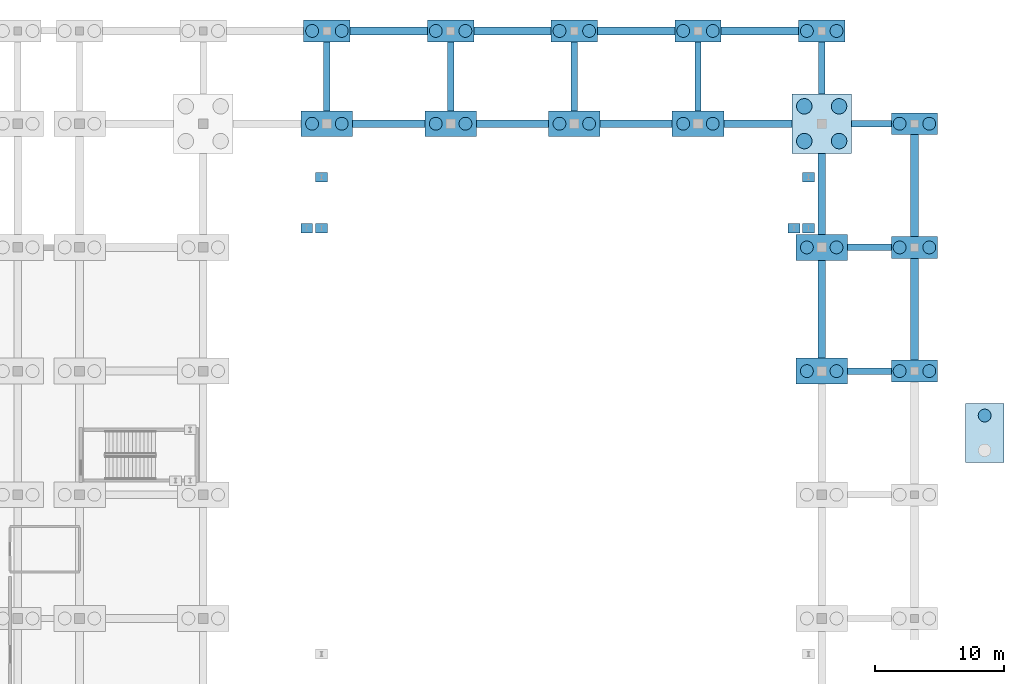
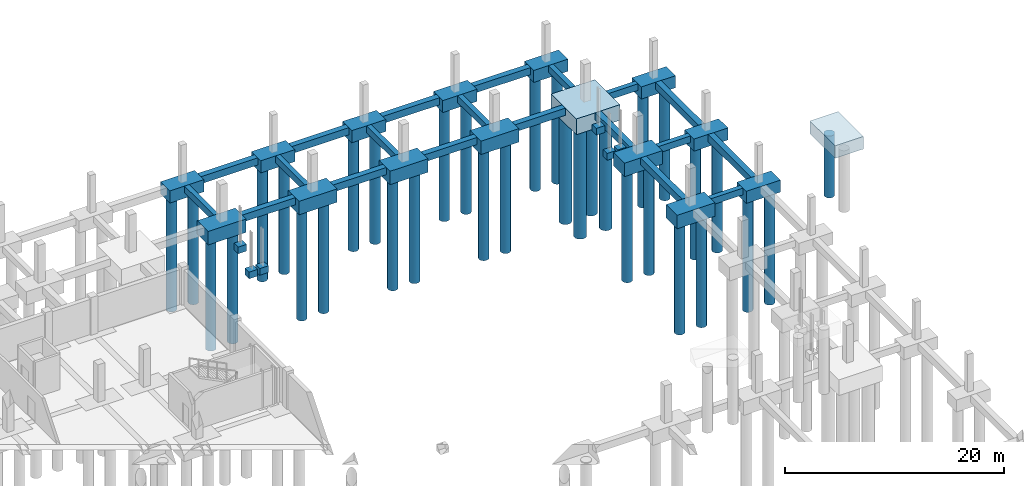
# One storey, part 11 of 54: 42 footings, 33 piles.
"""IFC4 building model written with IfcOpenShell, lengths in metres."""

from ifc_helpers import new_model, si_unit, direction, frame, origin, origin_2d, place, context, subcontext, project, spatial, rectangle, circle, extrude, material, material_profile, profile_set, type_object, element, save


model = new_model("IFC4")

# Units and contexts
model_context = context("Model", 3, precision=1e-05, world=origin(), true_north=direction((0.0, 1.0)))
body_context = subcontext(model_context, "Body", "Model", "MODEL_VIEW")
ifc_project = project(units=[si_unit("LENGTHUNIT", "METRE"), si_unit("AREAUNIT", "SQUARE_METRE"), si_unit("VOLUMEUNIT", "CUBIC_METRE"), si_unit("PLANEANGLEUNIT", "RADIAN"), si_unit("MASSUNIT", "GRAM", prefix="KILO")], contexts=[model_context])

# Site, building, storey
site_placement = place(None, origin())
site = spatial("IfcSite", under=ifc_project, at=site_placement, CompositionType="ELEMENT")
building_placement = place(site_placement, origin())
building = spatial("IfcBuilding", under=site, at=building_placement, Name="Zevrakil Square Congress Hotel", CompositionType="ELEMENT")
storey_placement = place(building_placement, frame((0.0, 0.0, -8.39990234375)))
storey = spatial("IfcBuildingStorey", under=building, at=storey_placement, Name="B2", CompositionType="ELEMENT", Elevation=-8.39990234375)

# Footings
ifc_material_1 = material(Name="Concrete C35/45", Category="concrete")
footing_type_1 = type_object("IfcFootingType", Name="FTG-PC2-300x460", PredefinedType="PILE_CAP", material=ifc_material_1)
footing_1_placement = place(storey_placement, frame((178.25, 88.800048828125, 5.449951171875), z_axis=(0.0, 0.0, 1.0), x_axis=(1.0, 0.0, 0.0)))
element("IfcFooting", 1, at=footing_1_placement, inside=storey, type_object=footing_type_1, Name="Accessible ramp apron two-pile cap PR-05", PredefinedType="PILE_CAP", context=body_context, shape_type="SweptSolid", body=[
    extrude(rectangle(XDim=3.0, YDim=4.60009765625, at=origin_2d()), origin(), (0.0, 0.0, 1.0), 1.39990234375),
])
ifc_material_2 = material(Name="Concrete C35/45", Category="concrete")
footing_type_2 = type_object("IfcFootingType", Name="FTG-PC2-360", PredefinedType="PILE_CAP", material=ifc_material_2)
for number, where, z_axis, x_axis, name in (
    (2, (127.199951171875, 120.0, -1.35009765625), (0.0, 0.0, 1.0), (1.0, 0.0, 0.0), "Pile cap PC2-209"),
    (3, (136.800048828125, 120.0, -1.35009765625), (0.0, 0.0, 1.0), (1.0, 0.0, 0.0), "Pile cap PC2-223"),
    (4, (146.39990234375, 120.0, -1.35009765625), (0.0, 0.0, 1.0), (1.0, 0.0, 0.0), "Pile cap PC2-237"),
    (5, (156.0, 120.0, -1.35009765625), (0.0, 0.0, 1.0), (1.0, 0.0, 0.0), "Pile cap PC2-251"),
    (6, (165.60009765625, 120.0, -1.35009765625), (0.0, 0.0, 1.0), (1.0, 0.0, 0.0), "Pile cap PC2-265"),
    (7, (172.800048828125, 93.60009765625, -1.35009765625), (0.0, 0.0, 1.0), (1.0, 0.0, 0.0), "Pile cap PC2-276"),
    (8, (172.800048828125, 103.199951171875, -1.35009765625), (0.0, 0.0, 1.0), (1.0, 0.0, 0.0), "Pile cap PC2-277"),
    (9, (172.800048828125, 112.800048828125, -1.35009765625), (0.0, 0.0, 1.0), (1.0, 0.0, 0.0), "Pile cap PC2-278"),
):
    element("IfcFooting", number, at=place(storey_placement, frame(where, z_axis=z_axis, x_axis=x_axis)), inside=storey, type_object=footing_type_2, Name=name, PredefinedType="PILE_CAP", context=body_context, shape_type="SweptSolid", body=[
        extrude(rectangle(XDim=3.60009765625, YDim=1.699951171875, at=origin_2d()), origin(), (0.0, 0.0, 1.0), 1.35009765625),
    ])
ifc_material_3 = material(Name="Concrete C35/45", Category="concrete")
footing_type_3 = type_object("IfcFootingType", Name="FTG-PC2-400", PredefinedType="PILE_CAP", material=ifc_material_3)
for number, where, z_axis, x_axis, name in (
    (10, (127.199951171875, 112.800048828125, -1.5), (0.0, 0.0, 1.0), (1.0, 0.0, 0.0), "Pile cap PC2-208"),
    (11, (136.800048828125, 112.800048828125, -1.5), (0.0, 0.0, 1.0), (1.0, 0.0, 0.0), "Pile cap PC2-222"),
    (12, (146.39990234375, 112.800048828125, -1.5), (0.0, 0.0, 1.0), (1.0, 0.0, 0.0), "Pile cap PC2-236"),
    (13, (156.0, 112.800048828125, -1.5), (0.0, 0.0, 1.0), (1.0, 0.0, 0.0), "Pile cap PC2-250"),
    (14, (165.60009765625, 93.60009765625, -1.5), (0.0, 0.0, 1.0), (1.0, 0.0, 0.0), "Pile cap PC2-262"),
    (15, (165.60009765625, 103.199951171875, -1.5), (0.0, 0.0, 1.0), (1.0, 0.0, 0.0), "Pile cap PC2-263"),
):
    element("IfcFooting", number, at=place(storey_placement, frame(where, z_axis=z_axis, x_axis=x_axis)), inside=storey, type_object=footing_type_3, Name=name, PredefinedType="PILE_CAP", context=body_context, shape_type="SweptSolid", body=[
        extrude(rectangle(XDim=4.0, YDim=2.0, at=origin_2d()), origin(), (0.0, 0.0, 1.0), 1.5),
    ])
ifc_material_4 = material(Name="Concrete C35/45", Category="concrete")
footing_type_4 = type_object("IfcFootingType", Name="FTG-PC4-460", PredefinedType="PILE_CAP", material=ifc_material_4)
footing_2_placement = place(storey_placement, frame((165.60009765625, 112.800048828125, -1.75), z_axis=(0.0, 0.0, 1.0), x_axis=(1.0, 0.0, 0.0)))
element("IfcFooting", 16, at=footing_2_placement, inside=storey, type_object=footing_type_4, Name="Pile cap PC4-264", PredefinedType="PILE_CAP", context=body_context, shape_type="SweptSolid", body=[
    extrude(rectangle(XDim=4.60009765625, YDim=4.60009765625, at=origin_2d()), origin(), (0.0, 0.0, 1.0), 1.75),
])
ifc_material_5 = material(Name="Concrete C35/45", Category="concrete")
ifc_material_profile_1 = material_profile(ifc_material_5, rectangle(XDim=0.75, YDim=0.75, at=origin_2d()), Name="RC 750x750")
ifc_profile_set_1 = profile_set([ifc_material_profile_1], Name="Concrete C35/45")
footing_type_5 = type_object("IfcFootingType", Name="FTG-STRIP-750", PredefinedType="STRIP_FOOTING", material=ifc_profile_set_1)
footing_3_placement = place(storey_placement, frame((163.0, 104.699951171875, -0.375), z_axis=(1.0, 0.0, 0.0), x_axis=(0.0, 1.0, 0.0)))
element("IfcFooting", 17, at=footing_3_placement, inside=storey, type_object=footing_type_5, Name="B2 stair post footing ST10-1", PredefinedType="STRIP_FOOTING", context=body_context, shape_type="SweptSolid", body=[
    extrude(rectangle(XDim=0.75, YDim=0.75, at=origin_2d()), origin(), (0.0, 0.0, 1.0), 0.89990234375),
])
for number, where, z_axis, x_axis, name in (
    (18, (164.1298828125, 104.699951171875, -0.375), (1.0, 0.0, 0.0), (0.0, 1.0, 0.0), "B2 stair post footing ST10-2"),
    (19, (164.1298828125, 108.64990234375, -0.375), (1.0, 0.0, 0.0), (0.0, 1.0, 0.0), "B2 stair post footing ST10-3"),
    (20, (125.199951171875, 104.699951171875, -0.375), (1.0, 0.0, 0.0), (0.0, 1.0, 0.0), "B2 stair post footing ST11-1"),
):
    element("IfcFooting", number, at=place(storey_placement, frame(where, z_axis=z_axis, x_axis=x_axis)), inside=storey, type_object=footing_type_5, Name=name, PredefinedType="STRIP_FOOTING", context=body_context, shape_type="SweptSolid", body=[
        extrude(rectangle(XDim=0.75, YDim=0.75, at=origin_2d()), origin(), (0.0, 0.0, 1.0), 0.900146484375),
    ])
for number, where, z_axis, x_axis, name in (
    (21, (126.330078125, 104.699951171875, -0.375), (1.0, 0.0, 0.0), (0.0, 1.0, 0.0), "B2 stair post footing ST11-2"),
    (22, (126.330078125, 108.64990234375, -0.375), (1.0, 0.0, 0.0), (0.0, 1.0, 0.0), "B2 stair post footing ST11-3"),
):
    element("IfcFooting", number, at=place(storey_placement, frame(where, z_axis=z_axis, x_axis=x_axis)), inside=storey, type_object=footing_type_5, Name=name, PredefinedType="STRIP_FOOTING", context=body_context, shape_type="SweptSolid", body=[
        extrude(rectangle(XDim=0.75, YDim=0.75, at=origin_2d()), origin(), (0.0, 0.0, 1.0), 0.89990234375),
    ])
ifc_material_6 = material(Name="Concrete C35/45", Category="concrete")
ifc_material_profile_2 = material_profile(ifc_material_6, rectangle(XDim=0.5, YDim=0.75, at=origin_2d()), Name="RC 500x750")
ifc_profile_set_2 = profile_set([ifc_material_profile_2], Name="Concrete C35/45")
footing_type_6 = type_object("IfcFootingType", Name="FTG-TIE-500x750", PredefinedType="FOOTING_BEAM", material=ifc_profile_set_2)
for number, where, z_axis, x_axis, name in (
    (23, (167.60009765625, 93.60009765625, -0.375), (1.0, 0.0, 0.0), (0.0, 1.0, 0.0), "Ground tie beam GB-167"),
    (24, (167.60009765625, 103.199951171875, -0.375), (1.0, 0.0, 0.0), (0.0, 1.0, 0.0), "Ground tie beam GB-179"),
):
    element("IfcFooting", number, at=place(storey_placement, frame(where, z_axis=z_axis, x_axis=x_axis)), inside=storey, type_object=footing_type_6, Name=name, PredefinedType="FOOTING_BEAM", context=body_context, shape_type="SweptSolid", body=[
        extrude(rectangle(XDim=0.5, YDim=0.75, at=origin_2d()), origin(), (0.0, 0.0, 1.0), 3.39990234375),
    ])
footing_4_placement = place(storey_placement, frame((167.89990234375, 112.800048828125, -0.375), z_axis=(1.0, 0.0, 0.0), x_axis=(0.0, 1.0, 0.0)))
element("IfcFooting", 25, at=footing_4_placement, inside=storey, type_object=footing_type_6, Name="Ground tie beam GB-197", PredefinedType="FOOTING_BEAM", context=body_context, shape_type="SweptSolid", body=[
    extrude(rectangle(XDim=0.5, YDim=0.75, at=origin_2d()), origin(), (0.0, 0.0, 1.0), 3.10009765625),
])
for number, where, z_axis, x_axis, name in (
    (26, (127.199951171875, 113.800048828125, -0.375), (0.0, 1.0, 0.0), (-1.0, 0.0, 0.0), "Ground tie beam GB-397"),
    (27, (136.800048828125, 113.800048828125, -0.375), (0.0, 1.0, 0.0), (-1.0, 0.0, 0.0), "Ground tie beam GB-404"),
    (28, (146.39990234375, 113.800048828125, -0.375), (0.0, 1.0, 0.0), (-1.0, 0.0, 0.0), "Ground tie beam GB-408"),
    (29, (156.0, 113.800048828125, -0.375), (0.0, 1.0, 0.0), (-1.0, 0.0, 0.0), "Ground tie beam GB-415"),
):
    element("IfcFooting", number, at=place(storey_placement, frame(where, z_axis=z_axis, x_axis=x_axis)), inside=storey, type_object=footing_type_6, Name=name, PredefinedType="FOOTING_BEAM", context=body_context, shape_type="SweptSolid", body=[
        extrude(rectangle(XDim=0.5, YDim=0.75, at=origin_2d()), origin(), (0.0, 0.0, 1.0), 5.349853515625),
    ])
footing_5_placement = place(storey_placement, frame((165.60009765625, 115.10009765625, -0.375), z_axis=(0.0, 1.0, 0.0), x_axis=(-1.0, 0.0, 0.0)))
element("IfcFooting", 30, at=footing_5_placement, inside=storey, type_object=footing_type_6, Name="Ground tie beam GB-425", PredefinedType="FOOTING_BEAM", context=body_context, shape_type="SweptSolid", body=[
    extrude(rectangle(XDim=0.5, YDim=0.75, at=origin_2d()), origin(), (0.0, 0.0, 1.0), 4.0498046875),
])
ifc_material_7 = material(Name="Concrete C35/45", Category="concrete")
ifc_material_profile_3 = material_profile(ifc_material_7, rectangle(XDim=0.60009765625, YDim=0.800048828125, at=origin_2d()), Name="RC 600x800")
ifc_profile_set_3 = profile_set([ifc_material_profile_3], Name="Concrete C35/45")
footing_type_7 = type_object("IfcFootingType", Name="FTG-TIE-600x800", PredefinedType="FOOTING_BEAM", material=ifc_profile_set_3)
footing_6_placement = place(storey_placement, frame((129.199951171875, 112.800048828125, -0.400146484375), z_axis=(1.0, 0.0, 0.0), x_axis=(0.0, 1.0, 0.0)))
element("IfcFooting", 31, at=footing_6_placement, inside=storey, type_object=footing_type_7, Name="Ground tie beam GB-193", PredefinedType="FOOTING_BEAM", context=body_context, shape_type="SweptSolid", body=[
    extrude(rectangle(XDim=0.60009765625, YDim=0.800048828125, at=origin_2d()), origin(), (0.0, 0.0, 1.0), 5.60009765625),
])
footing_7_placement = place(storey_placement, frame((138.800048828125, 112.800048828125, -0.400146484375), z_axis=(1.0, 0.0, 0.0), x_axis=(0.0, 1.0, 0.0)))
element("IfcFooting", 32, at=footing_7_placement, inside=storey, type_object=footing_type_7, Name="Ground tie beam GB-194", PredefinedType="FOOTING_BEAM", context=body_context, shape_type="SweptSolid", body=[
    extrude(rectangle(XDim=0.60009765625, YDim=0.800048828125, at=origin_2d()), origin(), (0.0, 0.0, 1.0), 5.599853515625),
])
footing_8_placement = place(storey_placement, frame((148.39990234375, 112.800048828125, -0.400146484375), z_axis=(1.0, 0.0, 0.0), x_axis=(0.0, 1.0, 0.0)))
element("IfcFooting", 33, at=footing_8_placement, inside=storey, type_object=footing_type_7, Name="Ground tie beam GB-195", PredefinedType="FOOTING_BEAM", context=body_context, shape_type="SweptSolid", body=[
    extrude(rectangle(XDim=0.60009765625, YDim=0.800048828125, at=origin_2d()), origin(), (0.0, 0.0, 1.0), 5.60009765625),
])
footing_9_placement = place(storey_placement, frame((158.0, 112.800048828125, -0.400146484375), z_axis=(1.0, 0.0, 0.0), x_axis=(0.0, 1.0, 0.0)))
element("IfcFooting", 34, at=footing_9_placement, inside=storey, type_object=footing_type_7, Name="Ground tie beam GB-196", PredefinedType="FOOTING_BEAM", context=body_context, shape_type="SweptSolid", body=[
    extrude(rectangle(XDim=0.60009765625, YDim=0.800048828125, at=origin_2d()), origin(), (0.0, 0.0, 1.0), 5.300048828125),
])
for number, where, z_axis, x_axis, name in (
    (35, (129.0, 120.0, -0.400146484375), (1.0, 0.0, 0.0), (0.0, 1.0, 0.0), "Ground tie beam GB-211"),
    (36, (138.60009765625, 120.0, -0.400146484375), (1.0, 0.0, 0.0), (0.0, 1.0, 0.0), "Ground tie beam GB-212"),
    (37, (148.199951171875, 120.0, -0.400146484375), (1.0, 0.0, 0.0), (0.0, 1.0, 0.0), "Ground tie beam GB-213"),
    (38, (157.800048828125, 120.0, -0.400146484375), (1.0, 0.0, 0.0), (0.0, 1.0, 0.0), "Ground tie beam GB-214"),
):
    element("IfcFooting", number, at=place(storey_placement, frame(where, z_axis=z_axis, x_axis=x_axis)), inside=storey, type_object=footing_type_7, Name=name, PredefinedType="FOOTING_BEAM", context=body_context, shape_type="SweptSolid", body=[
        extrude(rectangle(XDim=0.60009765625, YDim=0.800048828125, at=origin_2d()), origin(), (0.0, 0.0, 1.0), 6.0),
    ])
footing_10_placement = place(storey_placement, frame((165.60009765625, 94.60009765625, -0.400146484375), z_axis=(0.0, 1.0, 0.0), x_axis=(-1.0, 0.0, 0.0)))
element("IfcFooting", 39, at=footing_10_placement, inside=storey, type_object=footing_type_7, Name="Ground tie beam GB-423", PredefinedType="FOOTING_BEAM", context=body_context, shape_type="SweptSolid", body=[
    extrude(rectangle(XDim=0.60009765625, YDim=0.800048828125, at=origin_2d()), origin(), (0.0, 0.0, 1.0), 7.599853515625),
])
footing_11_placement = place(storey_placement, frame((165.60009765625, 104.199951171875, -0.400146484375), z_axis=(0.0, 1.0, 0.0), x_axis=(-1.0, 0.0, 0.0)))
element("IfcFooting", 40, at=footing_11_placement, inside=storey, type_object=footing_type_7, Name="Ground tie beam GB-424", PredefinedType="FOOTING_BEAM", context=body_context, shape_type="SweptSolid", body=[
    extrude(rectangle(XDim=0.60009765625, YDim=0.800048828125, at=origin_2d()), origin(), (0.0, 0.0, 1.0), 6.300048828125),
])
footing_12_placement = place(storey_placement, frame((172.800048828125, 94.449951171875, -0.400146484375), z_axis=(0.0, 1.0, 0.0), x_axis=(-1.0, 0.0, 0.0)))
element("IfcFooting", 41, at=footing_12_placement, inside=storey, type_object=footing_type_7, Name="Ground tie beam GB-436", PredefinedType="FOOTING_BEAM", context=body_context, shape_type="SweptSolid", body=[
    extrude(rectangle(XDim=0.60009765625, YDim=0.800048828125, at=origin_2d()), origin(), (0.0, 0.0, 1.0), 7.900146484375),
])
footing_13_placement = place(storey_placement, frame((172.800048828125, 104.050048828125, -0.400146484375), z_axis=(0.0, 1.0, 0.0), x_axis=(-1.0, 0.0, 0.0)))
element("IfcFooting", 42, at=footing_13_placement, inside=storey, type_object=footing_type_7, Name="Ground tie beam GB-437", PredefinedType="FOOTING_BEAM", context=body_context, shape_type="SweptSolid", body=[
    extrude(rectangle(XDim=0.60009765625, YDim=0.800048828125, at=origin_2d()), origin(), (0.0, 0.0, 1.0), 7.89990234375),
])

# Piles
ifc_material_8 = material(Name="Concrete C35/45", Category="concrete")
ifc_material_profile_4 = material_profile(ifc_material_8, circle(Radius=0.5, at=origin_2d()), Name="PILE D1000")
ifc_profile_set_4 = profile_set([ifc_material_profile_4], Name="Concrete C35/45")
pile_type_1 = type_object("IfcPileType", Name="PILE-BORED-1000", PredefinedType="BORED", material=ifc_profile_set_4)
for number, where, z_axis, x_axis, name in (
    (43, (126.050048828125, 112.800048828125, -1.400146484375), (0.0, 0.0, -1.0), (1.0, 0.0, 0.0), "Bored pile PC2-208-1"),
    (44, (128.35009765625, 112.800048828125, -1.400146484375), (0.0, 0.0, -1.0), (1.0, 0.0, 0.0), "Bored pile PC2-208-2"),
):
    element("IfcPile", number, at=place(storey_placement, frame(where, z_axis=z_axis, x_axis=x_axis)), inside=storey, type_object=pile_type_1, Name=name, PredefinedType="BORED", context=body_context, shape_type="SweptSolid", body=[
        extrude(circle(Radius=0.5, at=origin_2d()), origin(), (0.0, 0.0, 1.0), 12.5),
    ])
for number, where, z_axis, x_axis, name in (
    (45, (126.050048828125, 120.0, -1.25), (0.0, 0.0, -1.0), (1.0, 0.0, 0.0), "Bored pile PC2-209-1"),
    (46, (128.35009765625, 120.0, -1.25), (0.0, 0.0, -1.0), (1.0, 0.0, 0.0), "Bored pile PC2-209-2"),
):
    element("IfcPile", number, at=place(storey_placement, frame(where, z_axis=z_axis, x_axis=x_axis)), inside=storey, type_object=pile_type_1, Name=name, PredefinedType="BORED", context=body_context, shape_type="SweptSolid", body=[
        extrude(circle(Radius=0.5, at=origin_2d()), origin(), (0.0, 0.0, 1.0), 12.64990234375),
    ])
for number, where, z_axis, x_axis, name in (
    (47, (135.64990234375, 112.800048828125, -1.400146484375), (0.0, 0.0, -1.0), (1.0, 0.0, 0.0), "Bored pile PC2-222-1"),
    (48, (137.949951171875, 112.800048828125, -1.400146484375), (0.0, 0.0, -1.0), (1.0, 0.0, 0.0), "Bored pile PC2-222-2"),
):
    element("IfcPile", number, at=place(storey_placement, frame(where, z_axis=z_axis, x_axis=x_axis)), inside=storey, type_object=pile_type_1, Name=name, PredefinedType="BORED", context=body_context, shape_type="SweptSolid", body=[
        extrude(circle(Radius=0.5, at=origin_2d()), origin(), (0.0, 0.0, 1.0), 12.5),
    ])
for number, where, z_axis, x_axis, name in (
    (49, (135.64990234375, 120.0, -1.25), (0.0, 0.0, -1.0), (1.0, 0.0, 0.0), "Bored pile PC2-223-1"),
    (50, (137.949951171875, 120.0, -1.25), (0.0, 0.0, -1.0), (1.0, 0.0, 0.0), "Bored pile PC2-223-2"),
):
    element("IfcPile", number, at=place(storey_placement, frame(where, z_axis=z_axis, x_axis=x_axis)), inside=storey, type_object=pile_type_1, Name=name, PredefinedType="BORED", context=body_context, shape_type="SweptSolid", body=[
        extrude(circle(Radius=0.5, at=origin_2d()), origin(), (0.0, 0.0, 1.0), 12.64990234375),
    ])
for number, where, z_axis, x_axis, name in (
    (51, (145.25, 112.800048828125, -1.400146484375), (0.0, 0.0, -1.0), (1.0, 0.0, 0.0), "Bored pile PC2-236-1"),
    (52, (147.550048828125, 112.800048828125, -1.400146484375), (0.0, 0.0, -1.0), (1.0, 0.0, 0.0), "Bored pile PC2-236-2"),
):
    element("IfcPile", number, at=place(storey_placement, frame(where, z_axis=z_axis, x_axis=x_axis)), inside=storey, type_object=pile_type_1, Name=name, PredefinedType="BORED", context=body_context, shape_type="SweptSolid", body=[
        extrude(circle(Radius=0.5, at=origin_2d()), origin(), (0.0, 0.0, 1.0), 12.5),
    ])
for number, where, z_axis, x_axis, name in (
    (53, (145.25, 120.0, -1.25), (0.0, 0.0, -1.0), (1.0, 0.0, 0.0), "Bored pile PC2-237-1"),
    (54, (147.550048828125, 120.0, -1.25), (0.0, 0.0, -1.0), (1.0, 0.0, 0.0), "Bored pile PC2-237-2"),
):
    element("IfcPile", number, at=place(storey_placement, frame(where, z_axis=z_axis, x_axis=x_axis)), inside=storey, type_object=pile_type_1, Name=name, PredefinedType="BORED", context=body_context, shape_type="SweptSolid", body=[
        extrude(circle(Radius=0.5, at=origin_2d()), origin(), (0.0, 0.0, 1.0), 12.64990234375),
    ])
for number, where, z_axis, x_axis, name in (
    (55, (154.85009765625, 112.800048828125, -1.400146484375), (0.0, 0.0, -1.0), (1.0, 0.0, 0.0), "Bored pile PC2-250-1"),
    (56, (157.14990234375, 112.800048828125, -1.400146484375), (0.0, 0.0, -1.0), (1.0, 0.0, 0.0), "Bored pile PC2-250-2"),
):
    element("IfcPile", number, at=place(storey_placement, frame(where, z_axis=z_axis, x_axis=x_axis)), inside=storey, type_object=pile_type_1, Name=name, PredefinedType="BORED", context=body_context, shape_type="SweptSolid", body=[
        extrude(circle(Radius=0.5, at=origin_2d()), origin(), (0.0, 0.0, 1.0), 12.5),
    ])
for number, where, z_axis, x_axis, name in (
    (57, (154.85009765625, 120.0, -1.25), (0.0, 0.0, -1.0), (1.0, 0.0, 0.0), "Bored pile PC2-251-1"),
    (58, (157.14990234375, 120.0, -1.25), (0.0, 0.0, -1.0), (1.0, 0.0, 0.0), "Bored pile PC2-251-2"),
):
    element("IfcPile", number, at=place(storey_placement, frame(where, z_axis=z_axis, x_axis=x_axis)), inside=storey, type_object=pile_type_1, Name=name, PredefinedType="BORED", context=body_context, shape_type="SweptSolid", body=[
        extrude(circle(Radius=0.5, at=origin_2d()), origin(), (0.0, 0.0, 1.0), 12.64990234375),
    ])
for number, where, z_axis, x_axis, name in (
    (59, (164.449951171875, 93.60009765625, -1.400146484375), (0.0, 0.0, -1.0), (1.0, 0.0, 0.0), "Bored pile PC2-262-1"),
    (60, (166.75, 93.60009765625, -1.400146484375), (0.0, 0.0, -1.0), (1.0, 0.0, 0.0), "Bored pile PC2-262-2"),
    (61, (164.449951171875, 103.199951171875, -1.400146484375), (0.0, 0.0, -1.0), (1.0, 0.0, 0.0), "Bored pile PC2-263-1"),
    (62, (166.75, 103.199951171875, -1.400146484375), (0.0, 0.0, -1.0), (1.0, 0.0, 0.0), "Bored pile PC2-263-2"),
):
    element("IfcPile", number, at=place(storey_placement, frame(where, z_axis=z_axis, x_axis=x_axis)), inside=storey, type_object=pile_type_1, Name=name, PredefinedType="BORED", context=body_context, shape_type="SweptSolid", body=[
        extrude(circle(Radius=0.5, at=origin_2d()), origin(), (0.0, 0.0, 1.0), 12.5),
    ])
for number, where, z_axis, x_axis, name in (
    (63, (164.449951171875, 120.0, -1.25), (0.0, 0.0, -1.0), (1.0, 0.0, 0.0), "Bored pile PC2-265-1"),
    (64, (166.75, 120.0, -1.25), (0.0, 0.0, -1.0), (1.0, 0.0, 0.0), "Bored pile PC2-265-2"),
    (65, (171.64990234375, 93.60009765625, -1.25), (0.0, 0.0, -1.0), (1.0, 0.0, 0.0), "Bored pile PC2-276-1"),
    (66, (173.949951171875, 93.60009765625, -1.25), (0.0, 0.0, -1.0), (1.0, 0.0, 0.0), "Bored pile PC2-276-2"),
    (67, (171.64990234375, 103.199951171875, -1.25), (0.0, 0.0, -1.0), (1.0, 0.0, 0.0), "Bored pile PC2-277-1"),
    (68, (173.949951171875, 103.199951171875, -1.25), (0.0, 0.0, -1.0), (1.0, 0.0, 0.0), "Bored pile PC2-277-2"),
    (69, (171.64990234375, 112.800048828125, -1.25), (0.0, 0.0, -1.0), (1.0, 0.0, 0.0), "Bored pile PC2-278-1"),
    (70, (173.949951171875, 112.800048828125, -1.25), (0.0, 0.0, -1.0), (1.0, 0.0, 0.0), "Bored pile PC2-278-2"),
):
    element("IfcPile", number, at=place(storey_placement, frame(where, z_axis=z_axis, x_axis=x_axis)), inside=storey, type_object=pile_type_1, Name=name, PredefinedType="BORED", context=body_context, shape_type="SweptSolid", body=[
        extrude(circle(Radius=0.5, at=origin_2d()), origin(), (0.0, 0.0, 1.0), 12.64990234375),
    ])
pile_placement = place(storey_placement, frame((178.25, 90.14990234375, 5.5498046875), z_axis=(0.0, 0.0, -1.0), x_axis=(1.0, 0.0, 0.0)))
element("IfcPile", 71, at=pile_placement, inside=storey, type_object=pile_type_1, Name="Accessible ramp apron bored pile PR-05-2", PredefinedType="BORED", context=body_context, shape_type="SweptSolid", body=[
    extrude(circle(Radius=0.5, at=origin_2d()), origin(), (0.0, 0.0, 1.0), 6.89990234375),
])
ifc_material_9 = material(Name="Concrete C35/45", Category="concrete")
ifc_material_profile_5 = material_profile(ifc_material_9, circle(Radius=0.60009765625, at=origin_2d()), Name="PILE D1200")
ifc_profile_set_5 = profile_set([ifc_material_profile_5], Name="Concrete C35/45")
pile_type_2 = type_object("IfcPileType", Name="PILE-BORED-1200", PredefinedType="BORED", material=ifc_profile_set_5)
for number, where, z_axis, x_axis, name in (
    (72, (164.25, 111.449951171875, -1.650146484375), (0.0, 0.0, -1.0), (1.0, 0.0, 0.0), "Bored pile PC4-264-1"),
    (73, (166.949951171875, 111.449951171875, -1.650146484375), (0.0, 0.0, -1.0), (1.0, 0.0, 0.0), "Bored pile PC4-264-2"),
    (74, (164.25, 114.14990234375, -1.650146484375), (0.0, 0.0, -1.0), (1.0, 0.0, 0.0), "Bored pile PC4-264-3"),
    (75, (166.949951171875, 114.14990234375, -1.650146484375), (0.0, 0.0, -1.0), (1.0, 0.0, 0.0), "Bored pile PC4-264-4"),
):
    element("IfcPile", number, at=place(storey_placement, frame(where, z_axis=z_axis, x_axis=x_axis)), inside=storey, type_object=pile_type_2, Name=name, PredefinedType="BORED", context=body_context, shape_type="SweptSolid", body=[
        extrude(circle(Radius=0.60009765625, at=origin_2d()), origin(), (0.0, 0.0, 1.0), 12.25),
    ])

save(model, "model.ifc")
